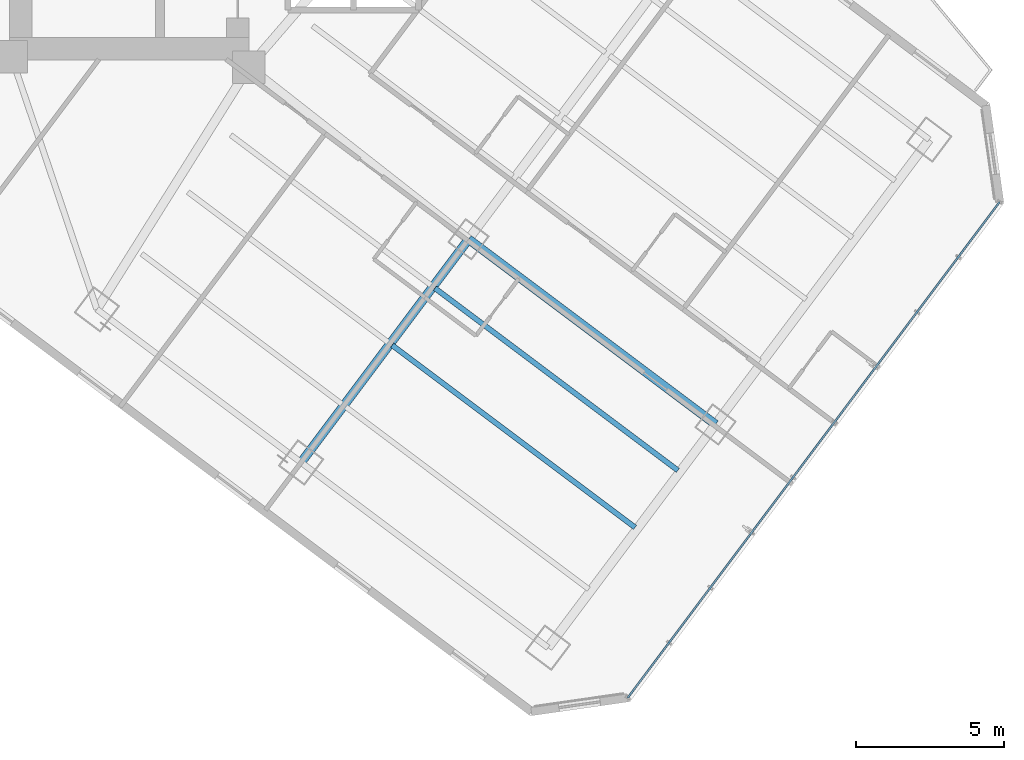
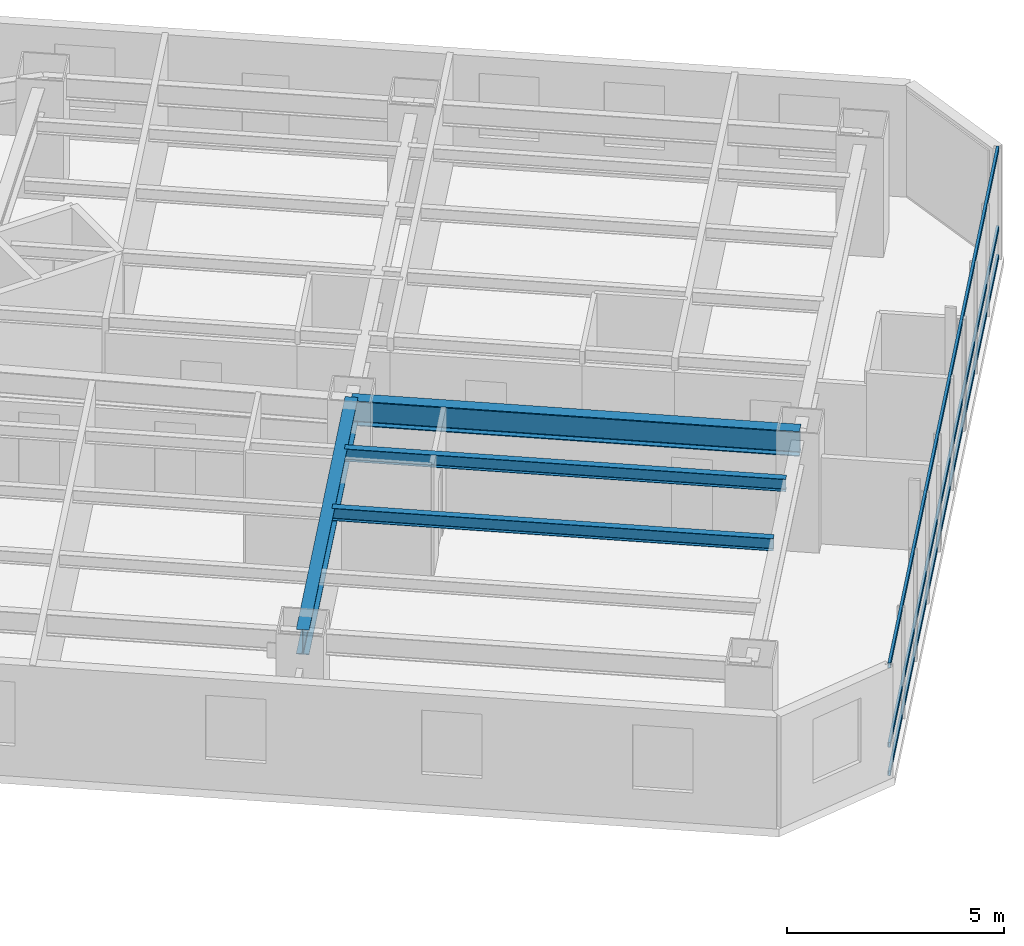
# One storey, part 9 of 37: 4 beams, 3 members, 1 element without a shape of its own.
"""IFC4 building model written with IfcOpenShell, lengths in metres."""

from ifc_helpers import new_model, si_unit, direction, frame, origin, origin_2d, place, context, subcontext, project, spatial, hollow_rectangle, i_section, extrude, material, layer, layer_set, material_profile, profile_set, type_object, element, aggregate, save


model = new_model("IFC4")

# Units and contexts
model_context = context("Model", 3, precision=1e-05, world=origin(), true_north=direction((0.0, 1.0)))
body_context = subcontext(model_context, "Body", "Model", "MODEL_VIEW")
ifc_project = project(units=[si_unit("LENGTHUNIT", "METRE"), si_unit("AREAUNIT", "SQUARE_METRE"), si_unit("VOLUMEUNIT", "CUBIC_METRE"), si_unit("PLANEANGLEUNIT", "RADIAN"), si_unit("MASSUNIT", "GRAM", prefix="KILO")], contexts=[model_context])

# Site, building, storey
site_placement = place(None, origin())
site = spatial("IfcSite", under=ifc_project, at=site_placement, CompositionType="ELEMENT")
building_placement = place(site_placement, origin())
building = spatial("IfcBuilding", under=site, at=building_placement, Name="Hatsunagi Terrace Concourse", CompositionType="ELEMENT")
storey_placement = place(building_placement, frame((0.0, 0.0, 39.949951171875)))
storey = spatial("IfcBuildingStorey", under=building, at=storey_placement, Name="L09", CompositionType="ELEMENT", Elevation=39.949951171875)

# Curtain wall, members
ifc_material_1 = material(Name="Anodised Aluminium Alloy 6063-T5", Category="aluminium")
ifc_layer = layer(ifc_material_1, 0.199951171875)
ifc_layer_set = layer_set([ifc_layer], Name="HotelFacade_CW02")
curtain_wall_type = type_object("IfcCurtainWallType", Name="HotelFacade_CW02", PredefinedType="NOTDEFINED", material=ifc_layer_set)
curtain_wall_placement = place(storey_placement, origin())
curtain_wall = element("IfcCurtainWall", 1, at=curtain_wall_placement, inside=storey, type_object=curtain_wall_type, Name="Unitised Curtain Wall CW-02 CW-L09-03", PredefinedType="NOTDEFINED")
ifc_material_2 = material(Name="Anodised Aluminium Alloy 6063-T5", Category="aluminium")
ifc_material_profile_1 = material_profile(ifc_material_2, hollow_rectangle(XDim=0.06494140625, YDim=0.139892578125, WallThickness=0.00390625, at=origin_2d()), Name="ALU-TRN-140x65x4")
ifc_profile_set_1 = profile_set([ifc_material_profile_1], Name="Anodised Aluminium Alloy 6063-T5")
member_type = type_object("IfcMemberType", Name="CurtainWallTransom_140x65", PredefinedType="USERDEFINED", material=ifc_profile_set_1)
member_1_placement = place(storey_placement, frame((69.093017578125, 19.657958984375, 0.050048828125), z_axis=(-0.599970072971, -0.800022444397, 0.0), x_axis=(0.800022444397, -0.599970072971, 0.0)))
member_1 = element("IfcMember", 2, at=member_1_placement, type_object=member_type, Name="Curtain Wall Transom TRN-02", ObjectType="TRANSOM", PredefinedType="USERDEFINED", context=body_context, shape_type="SweptSolid", body=[
    extrude(hollow_rectangle(XDim=0.06494140625, YDim=0.139892578125, WallThickness=0.00390625, at=origin_2d()), origin(), (0.0, 0.0, 1.0), 20.884521484375),
])
member_2_placement = place(storey_placement, frame((69.093017578125, 19.657958984375, 0.85009765625), z_axis=(-0.599970072971, -0.800022444397, 0.0), x_axis=(0.800022444397, -0.599970072971, 0.0)))
member_2 = element("IfcMember", 3, at=member_2_placement, type_object=member_type, Name="Curtain Wall Transom TRN-02", ObjectType="TRANSOM", PredefinedType="USERDEFINED", context=body_context, shape_type="SweptSolid", body=[
    extrude(hollow_rectangle(XDim=0.06494140625, YDim=0.139892578125, WallThickness=0.00390625, at=origin_2d()), origin(), (0.0, 0.0, 1.0), 20.884521484375),
])
member_3_placement = place(storey_placement, frame((69.093017578125, 19.657958984375, 3.080078125), z_axis=(-0.599970072971, -0.800022444397, 0.0), x_axis=(0.800022444397, -0.599970072971, 0.0)))
member_3 = element("IfcMember", 4, at=member_3_placement, type_object=member_type, Name="Curtain Wall Transom TRN-02", ObjectType="TRANSOM", PredefinedType="USERDEFINED", context=body_context, shape_type="SweptSolid", body=[
    extrude(hollow_rectangle(XDim=0.06494140625, YDim=0.139892578125, WallThickness=0.00390625, at=origin_2d()), origin(), (0.0, 0.0, 1.0), 20.884521484375),
])
aggregate(curtain_wall, [member_1, member_2, member_3])

# Beams
ifc_material_3 = material(Name="Steel SN490B", Category="steel")
ifc_material_profile_2 = material_profile(ifc_material_3, i_section(OverallWidth=0.300048828125, OverallDepth=0.699951171875, WebThickness=0.012939453125, FlangeThickness=0.02392578125, FilletRadius=0.02197265625, at=origin_2d()), Name="H-700x300x13x24")
ifc_profile_set_2 = profile_set([ifc_material_profile_2], Name="Steel SN490B")
beam_type_1 = type_object("IfcBeamType", Name="HotelFloorGirder_H_700x300", PredefinedType="BEAM", material=ifc_profile_set_2)
beam_1_placement = place(storey_placement, frame((45.56005859375, 10.8798828125, 2.780029296875), z_axis=(0.599991688754, 0.800006233367, 0.0), x_axis=(-0.800006233367, 0.599991688754, 0.0)))
element("IfcBeam", 5, at=beam_1_placement, inside=storey, type_object=beam_type_1, Name="Beam G-04 BM-L09-SET-2A", PredefinedType="BEAM", context=body_context, shape_type="SweptSolid", body=[
    extrude(i_section(OverallWidth=0.300048828125, OverallDepth=0.699951171875, WebThickness=0.012939453125, FlangeThickness=0.02392578125, FilletRadius=0.02197265625, at=origin_2d()), origin(), (0.0, 0.0, 1.0), 9.39990234375),
])
beam_2_placement = place(storey_placement, frame((51.199951171875, 18.39990234375, 2.780029296875), z_axis=(0.800002816985, -0.599996244001, 0.0), x_axis=(0.599996244001, 0.800002816985, 0.0)))
element("IfcBeam", 6, at=beam_2_placement, inside=storey, type_object=beam_type_1, Name="Beam G-04 BM-L09-SE-M3", PredefinedType="BEAM", context=body_context, shape_type="SweptSolid", body=[
    extrude(i_section(OverallWidth=0.300048828125, OverallDepth=0.699951171875, WebThickness=0.012939453125, FlangeThickness=0.02392578125, FilletRadius=0.02197265625, at=origin_2d()), origin(), (0.0, 0.0, 1.0), 10.400146484375),
])
ifc_material_4 = material(Name="Steel SN490B", Category="steel")
ifc_material_profile_3 = material_profile(ifc_material_4, i_section(OverallWidth=0.175048828125, OverallDepth=0.35009765625, WebThickness=0.007080078125, FlangeThickness=0.010986328125, FilletRadius=0.012939453125, at=origin_2d()), Name="H-350x175x7x11")
ifc_profile_set_3 = profile_set([ifc_material_profile_3], Name="Steel SN490B")
beam_type_2 = type_object("IfcBeamType", Name="HotelJoist_H_350x175", PredefinedType="JOIST", material=ifc_profile_set_3)
beam_3_placement = place(storey_placement, frame((48.6279296875, 14.8291015625, 2.955078125), z_axis=(0.799994272423, -0.600007636694, 0.0), x_axis=(0.600007636694, 0.799994272423, 0.0)))
element("IfcBeam", 7, at=beam_3_placement, inside=storey, type_object=beam_type_2, Name="Beam J-02 J-L09-SE-3-72", PredefinedType="JOIST", context=body_context, shape_type="SweptSolid", body=[
    extrude(i_section(OverallWidth=0.175048828125, OverallDepth=0.35009765625, WebThickness=0.007080078125, FlangeThickness=0.010986328125, FilletRadius=0.012939453125, at=origin_2d()), origin(), (0.0, 0.0, 1.0), 10.230224609375),
])
beam_4_placement = place(storey_placement, frame((50.068115234375, 16.7490234375, 2.955078125), z_axis=(0.799997136125, -0.600003818481, 0.0), x_axis=(0.600003818481, 0.799997136125, 0.0)))
element("IfcBeam", 8, at=beam_4_placement, inside=storey, type_object=beam_type_2, Name="Beam J-02 J-L09-SE-3-96", PredefinedType="JOIST", context=body_context, shape_type="SweptSolid", body=[
    extrude(i_section(OverallWidth=0.175048828125, OverallDepth=0.35009765625, WebThickness=0.007080078125, FlangeThickness=0.010986328125, FilletRadius=0.012939453125, at=origin_2d()), origin(), (0.0, 0.0, 1.0), 10.229736328125),
])

save(model, "model.ifc")
